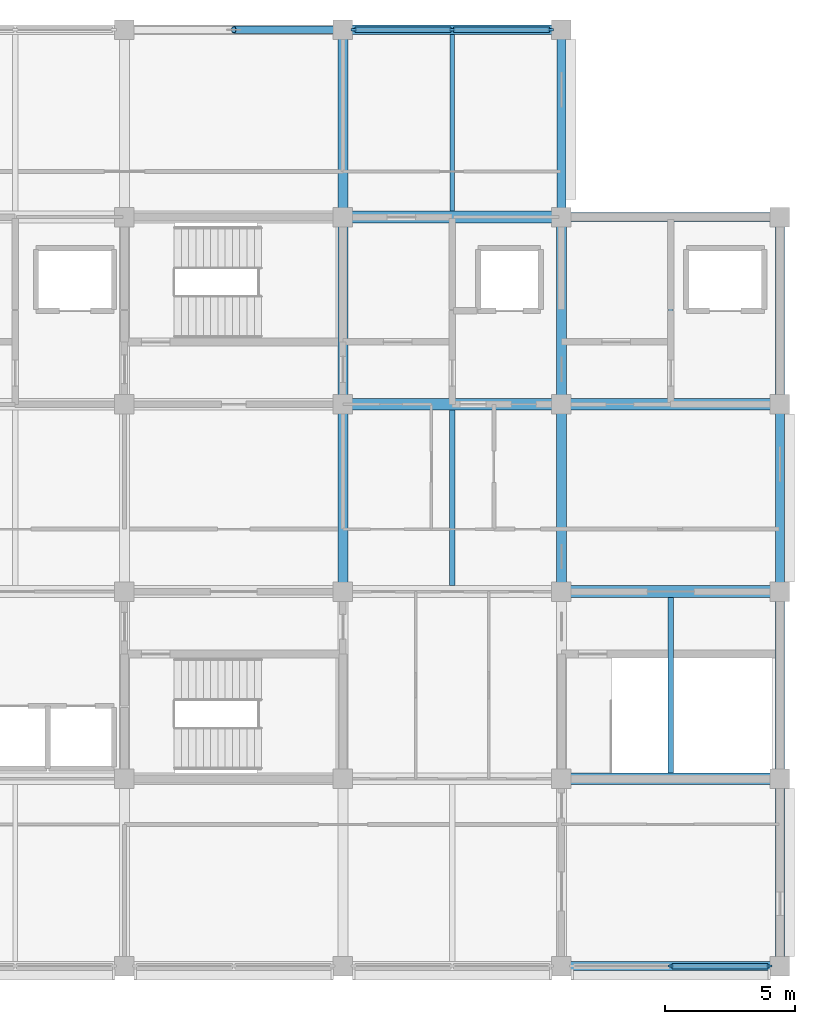
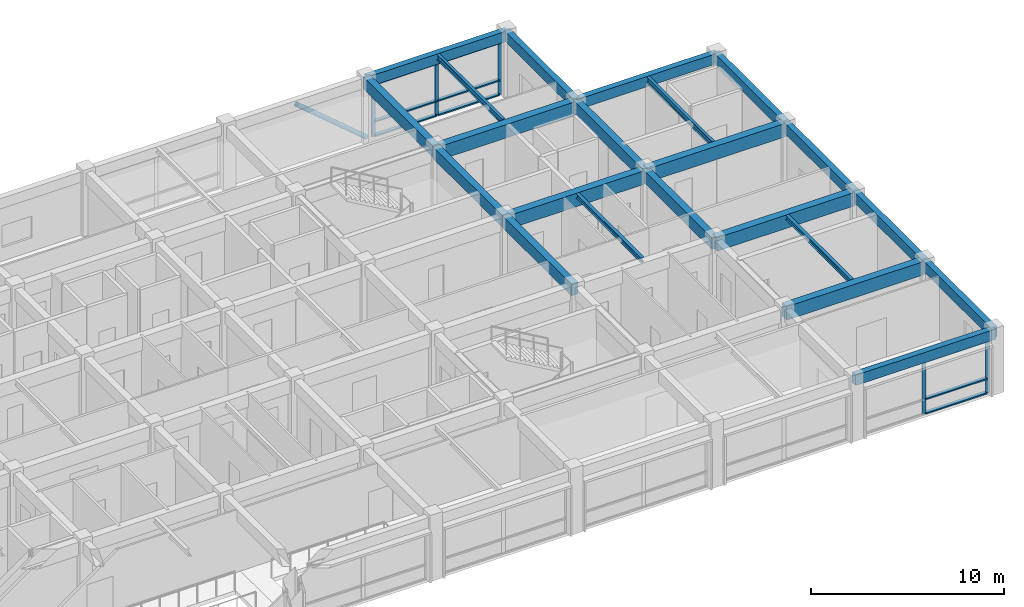
# One storey, part 7 of 23: 22 beams, 15 members, 2 elements without a shape of their own.
"""IFC4 building model written with IfcOpenShell, lengths in metres."""

from ifc_helpers import new_model, si_unit, direction, frame, origin, origin_2d, place, context, subcontext, project, spatial, rectangle, hollow_circle, i_section, extrude, material, layer, layer_set, material_profile, profile_set, type_object, element, aggregate, save


model = new_model("IFC4")

# Units and contexts
model_context = context("Model", 3, precision=1e-05, world=origin(), true_north=direction((0.0, 1.0)))
body_context = subcontext(model_context, "Body", "Model", "MODEL_VIEW")
ifc_project = project(units=[si_unit("LENGTHUNIT", "METRE"), si_unit("AREAUNIT", "SQUARE_METRE"), si_unit("VOLUMEUNIT", "CUBIC_METRE"), si_unit("PLANEANGLEUNIT", "RADIAN"), si_unit("MASSUNIT", "GRAM", prefix="KILO")], contexts=[model_context])

# Site, building, storey
site_placement = place(None, origin())
site = spatial("IfcSite", under=ifc_project, at=site_placement, CompositionType="ELEMENT")
building_placement = place(site_placement, origin())
building = spatial("IfcBuilding", under=site, at=building_placement, Name="Chengyuan Square Courthouse", CompositionType="ELEMENT")
storey_placement = place(building_placement, frame((0.0, 0.0, 43.5)))
storey = spatial("IfcBuildingStorey", under=building, at=storey_placement, Name="L10", CompositionType="ELEMENT", Elevation=43.5)

# Beams
ifc_material_1 = material(Name="Concrete C40", Category="concrete")
ifc_material_profile_1 = material_profile(ifc_material_1, rectangle(XDim=0.449951171875, YDim=0.85009765625, at=origin_2d()), Name="RC-BM-450x850")
ifc_profile_set_1 = profile_set([ifc_material_profile_1], Name="Concrete C40")
beam_type_1 = type_object("IfcBeamType", Name="BM-01", PredefinedType="USERDEFINED", material=ifc_profile_set_1)
for number, where, z_axis, x_axis, name in (
    (1, (117.60009765625, 86.39990234375, 3.574951171875), (1.0, 0.0, 0.0), (0.0, 1.0, 0.0), "Girder BM-L10-4045"),
    (2, (117.60009765625, 93.60009765625, 3.574951171875), (1.0, 0.0, 0.0), (0.0, 1.0, 0.0), "Girder BM-L10-4055"),
):
    element("IfcBeam", number, at=place(storey_placement, frame(where, z_axis=z_axis, x_axis=x_axis)), inside=storey, type_object=beam_type_1, Name=name, ObjectType="GIRDER", PredefinedType="USERDEFINED", context=body_context, shape_type="SweptSolid", body=[
        extrude(rectangle(XDim=0.449951171875, YDim=0.85009765625, at=origin_2d()), origin(), (0.0, 0.0, 1.0), 8.39990234375),
    ])
beam_1_placement = place(storey_placement, frame((109.199951171875, 100.800048828125, 3.52490234375), z_axis=(1.0, 0.0, 0.0), x_axis=(0.0, 1.0, 0.0)))
element("IfcBeam", 3, at=beam_1_placement, inside=storey, type_object=beam_type_1, Name="Girder BM-L10-4064", ObjectType="GIRDER", PredefinedType="USERDEFINED", context=body_context, shape_type="SweptSolid", body=[
    extrude(rectangle(XDim=0.449951171875, YDim=0.85009765625, at=origin_2d()), origin(), (0.0, 0.0, 1.0), 8.400146484375),
])
beam_2_placement = place(storey_placement, frame((117.60009765625, 100.800048828125, 3.574951171875), z_axis=(1.0, 0.0, 0.0), x_axis=(0.0, 1.0, 0.0)))
element("IfcBeam", 4, at=beam_2_placement, inside=storey, type_object=beam_type_1, Name="Girder BM-L10-4065", ObjectType="GIRDER", PredefinedType="USERDEFINED", context=body_context, shape_type="SweptSolid", body=[
    extrude(rectangle(XDim=0.449951171875, YDim=0.85009765625, at=origin_2d()), origin(), (0.0, 0.0, 1.0), 8.39990234375),
])
beam_3_placement = place(storey_placement, frame((109.199951171875, 108.0, 3.52490234375), z_axis=(1.0, 0.0, 0.0), x_axis=(0.0, 1.0, 0.0)))
element("IfcBeam", 5, at=beam_3_placement, inside=storey, type_object=beam_type_1, Name="Girder BM-L10-4074", ObjectType="GIRDER", PredefinedType="USERDEFINED", context=body_context, shape_type="SweptSolid", body=[
    extrude(rectangle(XDim=0.449951171875, YDim=0.85009765625, at=origin_2d()), origin(), (0.0, 0.0, 1.0), 8.400146484375),
])
ifc_material_profile_2 = material_profile(ifc_material_1, rectangle(XDim=0.39990234375, YDim=0.75, at=origin_2d()), Name="RC-BM-400x750")
ifc_profile_set_2 = profile_set([ifc_material_profile_2], Name="Concrete C40")
beam_type_2 = type_object("IfcBeamType", Name="BM-02", PredefinedType="USERDEFINED", material=ifc_profile_set_2)
for number, where, z_axis, x_axis, name in (
    (6, (109.199951171875, 93.60009765625, 3.574951171875), (0.0, 1.0, 0.0), (-1.0, 0.0, 0.0), "Girder BM-L10-4125"),
    (7, (109.199951171875, 100.800048828125, 3.574951171875), (0.0, 1.0, 0.0), (-1.0, 0.0, 0.0), "Girder BM-L10-4126"),
    (8, (109.199951171875, 108.0, 3.625), (0.0, 1.0, 0.0), (-1.0, 0.0, 0.0), "Girder BM-L10-4127"),
    (9, (117.60009765625, 93.60009765625, 3.574951171875), (0.0, 1.0, 0.0), (-1.0, 0.0, 0.0), "Girder BM-L10-4130"),
    (10, (117.60009765625, 100.800048828125, 3.574951171875), (0.0, 1.0, 0.0), (-1.0, 0.0, 0.0), "Girder BM-L10-4131"),
):
    element("IfcBeam", number, at=place(storey_placement, frame(where, z_axis=z_axis, x_axis=x_axis)), inside=storey, type_object=beam_type_2, Name=name, ObjectType="GIRDER", PredefinedType="USERDEFINED", context=body_context, shape_type="SweptSolid", body=[
        extrude(rectangle(XDim=0.39990234375, YDim=0.75, at=origin_2d()), origin(), (0.0, 0.0, 1.0), 7.199951171875),
    ])
ifc_material_profile_3 = material_profile(ifc_material_1, rectangle(XDim=0.35009765625, YDim=0.64990234375, at=origin_2d()), Name="RC-BM-350x650")
ifc_profile_set_3 = profile_set([ifc_material_profile_3], Name="Concrete C40")
beam_type_3 = type_object("IfcBeamType", Name="BM-03", PredefinedType="SPANDREL", material=ifc_profile_set_3)
for number, where, z_axis, x_axis, name in (
    (11, (117.60009765625, 79.199951171875, 3.675048828125), (1.0, 0.0, 0.0), (0.0, 1.0, 0.0), "Girder BM-L10-4035"),
    (12, (117.60009765625, 108.0, 3.675048828125), (1.0, 0.0, 0.0), (0.0, 1.0, 0.0), "Girder BM-L10-4075"),
):
    element("IfcBeam", number, at=place(storey_placement, frame(where, z_axis=z_axis, x_axis=x_axis)), inside=storey, type_object=beam_type_3, Name=name, PredefinedType="SPANDREL", context=body_context, shape_type="SweptSolid", body=[
        extrude(rectangle(XDim=0.35009765625, YDim=0.64990234375, at=origin_2d()), origin(), (0.0, 0.0, 1.0), 8.39990234375),
    ])
beam_4_placement = place(storey_placement, frame((109.199951171875, 115.199951171875, 3.675048828125), z_axis=(1.0, 0.0, 0.0), x_axis=(0.0, 1.0, 0.0)))
element("IfcBeam", 13, at=beam_4_placement, inside=storey, type_object=beam_type_3, Name="Girder BM-L10-4083", PredefinedType="SPANDREL", context=body_context, shape_type="SweptSolid", body=[
    extrude(rectangle(XDim=0.35009765625, YDim=0.64990234375, at=origin_2d()), origin(), (0.0, 0.0, 1.0), 8.400146484375),
])
for number, where, z_axis, x_axis, name in (
    (14, (117.60009765625, 108.0, 3.675048828125), (0.0, 1.0, 0.0), (-1.0, 0.0, 0.0), "Girder BM-L10-4132"),
    (15, (126.0, 79.199951171875, 3.675048828125), (0.0, 1.0, 0.0), (-1.0, 0.0, 0.0), "Girder BM-L10-4133"),
):
    element("IfcBeam", number, at=place(storey_placement, frame(where, z_axis=z_axis, x_axis=x_axis)), inside=storey, type_object=beam_type_3, Name=name, PredefinedType="SPANDREL", context=body_context, shape_type="SweptSolid", body=[
        extrude(rectangle(XDim=0.35009765625, YDim=0.64990234375, at=origin_2d()), origin(), (0.0, 0.0, 1.0), 7.199951171875),
    ])
beam_5_placement = place(storey_placement, frame((126.0, 86.39990234375, 3.675048828125), z_axis=(0.0, 1.0, 0.0), x_axis=(-1.0, 0.0, 0.0)))
element("IfcBeam", 16, at=beam_5_placement, inside=storey, type_object=beam_type_3, Name="Girder BM-L10-4134", PredefinedType="SPANDREL", context=body_context, shape_type="SweptSolid", body=[
    extrude(rectangle(XDim=0.35009765625, YDim=0.64990234375, at=origin_2d()), origin(), (0.0, 0.0, 1.0), 7.2001953125),
])
for number, where, z_axis, x_axis, name in (
    (17, (126.0, 93.60009765625, 3.675048828125), (0.0, 1.0, 0.0), (-1.0, 0.0, 0.0), "Girder BM-L10-4135"),
    (18, (126.0, 100.800048828125, 3.675048828125), (0.0, 1.0, 0.0), (-1.0, 0.0, 0.0), "Girder BM-L10-4136"),
):
    element("IfcBeam", number, at=place(storey_placement, frame(where, z_axis=z_axis, x_axis=x_axis)), inside=storey, type_object=beam_type_3, Name=name, PredefinedType="SPANDREL", context=body_context, shape_type="SweptSolid", body=[
        extrude(rectangle(XDim=0.35009765625, YDim=0.64990234375, at=origin_2d()), origin(), (0.0, 0.0, 1.0), 7.199951171875),
    ])
ifc_material_2 = material(Name="Steel Q355B", Category="steel")
ifc_material_profile_4 = material_profile(ifc_material_2, i_section(OverallWidth=0.175048828125, OverallDepth=0.35009765625, WebThickness=0.007080078125, FlangeThickness=0.010986328125, at=origin_2d()), Name="HN 350x175x7x11")
ifc_profile_set_4 = profile_set([ifc_material_profile_4], Name="Steel Q355B")
beam_type_4 = type_object("IfcBeamType", Name="BM-08", PredefinedType="BEAM", material=ifc_profile_set_4)
beam_6_placement = place(storey_placement, frame((113.39990234375, 108.22509765625, 3.824951171875), z_axis=(0.0, 1.0, 0.0), x_axis=(-1.0, 0.0, 0.0)))
element("IfcBeam", 19, at=beam_6_placement, inside=storey, type_object=beam_type_4, Name="Secondary Floor Beam SBM-L10-4155", PredefinedType="BEAM", context=body_context, shape_type="SweptSolid", body=[
    extrude(i_section(OverallWidth=0.175048828125, OverallDepth=0.35009765625, WebThickness=0.007080078125, FlangeThickness=0.010986328125, at=origin_2d()), origin(), (0.0, 0.0, 1.0), 6.7998046875),
])
beam_7_placement = place(storey_placement, frame((121.800048828125, 101.02490234375, 3.824951171875), z_axis=(0.0, 1.0, 0.0), x_axis=(-1.0, 0.0, 0.0)))
element("IfcBeam", 20, at=beam_7_placement, inside=storey, type_object=beam_type_4, Name="Secondary Floor Beam SBM-L10-4157", PredefinedType="BEAM", context=body_context, shape_type="SweptSolid", body=[
    extrude(i_section(OverallWidth=0.175048828125, OverallDepth=0.35009765625, WebThickness=0.007080078125, FlangeThickness=0.010986328125, at=origin_2d()), origin(), (0.0, 0.0, 1.0), 6.800048828125),
])
ifc_material_profile_5 = material_profile(ifc_material_2, i_section(OverallWidth=0.199951171875, OverallDepth=0.300048828125, WebThickness=0.008056640625, FlangeThickness=0.011962890625, at=origin_2d()), Name="HM 300x200x8x12")
ifc_profile_set_5 = profile_set([ifc_material_profile_5], Name="Steel Q355B")
beam_type_5 = type_object("IfcBeamType", Name="BM-09", PredefinedType="BEAM", material=ifc_profile_set_5)
for number, where, z_axis, x_axis, name in (
    (21, (113.39990234375, 93.824951171875, 3.800048828125), (0.0, 1.0, 0.0), (-1.0, 0.0, 0.0), "Secondary Floor Beam SBM-L10-4154"),
    (22, (121.800048828125, 86.625, 3.85009765625), (0.0, 1.0, 0.0), (-1.0, 0.0, 0.0), "Secondary Floor Beam SBM-L10-4156"),
):
    element("IfcBeam", number, at=place(storey_placement, frame(where, z_axis=z_axis, x_axis=x_axis)), inside=storey, type_object=beam_type_5, Name=name, PredefinedType="BEAM", context=body_context, shape_type="SweptSolid", body=[
        extrude(i_section(OverallWidth=0.199951171875, OverallDepth=0.300048828125, WebThickness=0.008056640625, FlangeThickness=0.011962890625, at=origin_2d()), origin(), (0.0, 0.0, 1.0), 6.75),
    ])

# Member
ifc_material_profile_6 = material_profile(ifc_material_2, hollow_circle(Radius=0.136474609375, WallThickness=0.010009765625, at=origin_2d()), Name="CHS 273x10")
ifc_profile_set_6 = profile_set([ifc_material_profile_6], Name="Steel Q355B")
member_type_1 = type_object("IfcMemberType", Name="BR-01", PredefinedType="BRACE", material=ifc_profile_set_6)
member_1_placement = place(storey_placement, frame((109.199951171875, 115.199951171875, 0.10009765625), z_axis=(-0.763744856955, 0.0, 0.645518236361), x_axis=(0.0, -1.0, 0.0)))
element("IfcMember", 23, at=member_1_placement, inside=storey, type_object=member_type_1, Name="Steel Chevron Brace BR-L10-040", PredefinedType="BRACE", context=body_context, shape_type="SweptSolid", body=[
    extrude(hollow_circle(Radius=0.136474609375, WallThickness=0.010009765625, at=origin_2d()), origin(), (0.0, 0.0, 1.0), 5.499267578125),
])

# Curtain wall, members
ifc_material_3 = material(Name="Unitised Aluminium and Triple Low-E Glass", Category="aluminium")
ifc_layer = layer(ifc_material_3, 0.219970703125)
ifc_layer_set = layer_set([ifc_layer], Name="Unitised Aluminium and Triple Low-E Glass")
curtain_wall_type = type_object("IfcCurtainWallType", Name="CW-04", PredefinedType="USERDEFINED", material=ifc_layer_set)
curtain_wall_1_placement = place(storey_placement, origin())
curtain_wall_1 = element("IfcCurtainWall", 24, at=curtain_wall_1_placement, inside=storey, type_object=curtain_wall_type, Name="Unitised Curtain Wall CW-L10-258", ObjectType="UNITISED CURTAIN WALL", PredefinedType="USERDEFINED")
ifc_material_4 = material(Name="Aluminium 6063-T6 Frame", Category="aluminium")
ifc_material_profile_7 = material_profile(ifc_material_4, rectangle(XDim=0.080078125, YDim=0.219970703125, at=origin_2d()), Name="CW-MUL-80x220")
ifc_profile_set_7 = profile_set([ifc_material_profile_7], Name="Aluminium 6063-T6 Frame")
member_type_2 = type_object("IfcMemberType", Name="CWM-04", PredefinedType="MULLION", material=ifc_profile_set_7)
member_2_placement = place(storey_placement, frame((109.614990234375, 115.199951171875, 0.0), z_axis=(0.0, 0.0, 1.0), x_axis=(0.0, 1.0, 0.0)))
member_2 = element("IfcMember", 25, at=member_2_placement, type_object=member_type_2, Name="CW-04 mullion 1", PredefinedType="MULLION", context=body_context, shape_type="SweptSolid", body=[
    extrude(rectangle(XDim=0.080078125, YDim=0.219970703125, at=origin_2d()), origin(), (0.0, 0.0, 1.0), 3.35009765625),
])
member_3_placement = place(storey_placement, frame((113.39990234375, 115.199951171875, 0.0), z_axis=(0.0, 0.0, 1.0), x_axis=(0.0, 1.0, 0.0)))
member_3 = element("IfcMember", 26, at=member_3_placement, type_object=member_type_2, Name="CW-04 mullion 2", PredefinedType="MULLION", context=body_context, shape_type="SweptSolid", body=[
    extrude(rectangle(XDim=0.080078125, YDim=0.219970703125, at=origin_2d()), origin(), (0.0, 0.0, 1.0), 3.35009765625),
])
member_4_placement = place(storey_placement, frame((117.18505859375, 115.199951171875, 0.0), z_axis=(0.0, 0.0, 1.0), x_axis=(0.0, 1.0, 0.0)))
member_4 = element("IfcMember", 27, at=member_4_placement, type_object=member_type_2, Name="CW-04 mullion 3", PredefinedType="MULLION", context=body_context, shape_type="SweptSolid", body=[
    extrude(rectangle(XDim=0.080078125, YDim=0.219970703125, at=origin_2d()), origin(), (0.0, 0.0, 1.0), 3.35009765625),
])

curtain_wall_2_placement = place(storey_placement, origin())
curtain_wall_2 = element("IfcCurtainWall", 28, at=curtain_wall_2_placement, inside=storey, type_object=curtain_wall_type, Name="Unitised Curtain Wall CW-L10-259", ObjectType="UNITISED CURTAIN WALL", PredefinedType="USERDEFINED")
member_5_placement = place(storey_placement, frame((121.800048828125, 79.199951171875, 0.0), z_axis=(0.0, 0.0, 1.0), x_axis=(0.0, 1.0, 0.0)))
member_5 = element("IfcMember", 29, at=member_5_placement, type_object=member_type_2, Name="CW-04 mullion 2", PredefinedType="MULLION", context=body_context, shape_type="SweptSolid", body=[
    extrude(rectangle(XDim=0.080078125, YDim=0.219970703125, at=origin_2d()), origin(), (0.0, 0.0, 1.0), 3.35009765625),
])
member_6_placement = place(storey_placement, frame((125.5849609375, 79.199951171875, 0.0), z_axis=(0.0, 0.0, 1.0), x_axis=(0.0, 1.0, 0.0)))
member_6 = element("IfcMember", 30, at=member_6_placement, type_object=member_type_2, Name="CW-04 mullion 3", PredefinedType="MULLION", context=body_context, shape_type="SweptSolid", body=[
    extrude(rectangle(XDim=0.080078125, YDim=0.219970703125, at=origin_2d()), origin(), (0.0, 0.0, 1.0), 3.35009765625),
])

# Member
ifc_material_profile_8 = material_profile(ifc_material_4, rectangle(XDim=0.219970703125, YDim=0.080078125, at=origin_2d()), Name="CW-TRN-80x180")
ifc_profile_set_8 = profile_set([ifc_material_profile_8], Name="Aluminium 6063-T6 Frame")
member_type_3 = type_object("IfcMemberType", Name="CWT-04", PredefinedType="USERDEFINED", material=ifc_profile_set_8)
member_7_placement = place(storey_placement, frame((109.655029296875, 115.199951171875, 0.0400390625), z_axis=(1.0, 0.0, 0.0), x_axis=(0.0, 1.0, 0.0)))
member_7 = element("IfcMember", 31, at=member_7_placement, type_object=member_type_3, Name="CW-04 transom 1.1", ObjectType="TRANSOM", PredefinedType="USERDEFINED", context=body_context, shape_type="SweptSolid", body=[
    extrude(rectangle(XDim=0.219970703125, YDim=0.080078125, at=origin_2d()), origin(), (0.0, 0.0, 1.0), 3.705078125),
])

member_8_placement = place(storey_placement, frame((109.655029296875, 115.199951171875, 0.949951171875), z_axis=(1.0, 0.0, 0.0), x_axis=(0.0, 1.0, 0.0)))
member_8 = element("IfcMember", 32, at=member_8_placement, type_object=member_type_3, Name="CW-04 transom 1.2", ObjectType="TRANSOM", PredefinedType="USERDEFINED", context=body_context, shape_type="SweptSolid", body=[
    extrude(rectangle(XDim=0.219970703125, YDim=0.080078125, at=origin_2d()), origin(), (0.0, 0.0, 1.0), 3.705078125),
])

member_9_placement = place(storey_placement, frame((109.655029296875, 115.199951171875, 3.31005859375), z_axis=(1.0, 0.0, 0.0), x_axis=(0.0, 1.0, 0.0)))
member_9 = element("IfcMember", 33, at=member_9_placement, type_object=member_type_3, Name="CW-04 transom 1.3", ObjectType="TRANSOM", PredefinedType="USERDEFINED", context=body_context, shape_type="SweptSolid", body=[
    extrude(rectangle(XDim=0.219970703125, YDim=0.080078125, at=origin_2d()), origin(), (0.0, 0.0, 1.0), 3.705078125),
])

member_10_placement = place(storey_placement, frame((113.43994140625, 115.199951171875, 0.0400390625), z_axis=(1.0, 0.0, 0.0), x_axis=(0.0, 1.0, 0.0)))
member_10 = element("IfcMember", 34, at=member_10_placement, type_object=member_type_3, Name="CW-04 transom 2.1", ObjectType="TRANSOM", PredefinedType="USERDEFINED", context=body_context, shape_type="SweptSolid", body=[
    extrude(rectangle(XDim=0.219970703125, YDim=0.080078125, at=origin_2d()), origin(), (0.0, 0.0, 1.0), 3.705078125),
])

member_11_placement = place(storey_placement, frame((113.43994140625, 115.199951171875, 0.949951171875), z_axis=(1.0, 0.0, 0.0), x_axis=(0.0, 1.0, 0.0)))
member_11 = element("IfcMember", 35, at=member_11_placement, type_object=member_type_3, Name="CW-04 transom 2.2", ObjectType="TRANSOM", PredefinedType="USERDEFINED", context=body_context, shape_type="SweptSolid", body=[
    extrude(rectangle(XDim=0.219970703125, YDim=0.080078125, at=origin_2d()), origin(), (0.0, 0.0, 1.0), 3.705078125),
])

member_12_placement = place(storey_placement, frame((113.43994140625, 115.199951171875, 3.31005859375), z_axis=(1.0, 0.0, 0.0), x_axis=(0.0, 1.0, 0.0)))
member_12 = element("IfcMember", 36, at=member_12_placement, type_object=member_type_3, Name="CW-04 transom 2.3", ObjectType="TRANSOM", PredefinedType="USERDEFINED", context=body_context, shape_type="SweptSolid", body=[
    extrude(rectangle(XDim=0.219970703125, YDim=0.080078125, at=origin_2d()), origin(), (0.0, 0.0, 1.0), 3.705078125),
])

aggregate(curtain_wall_1, [member_2, member_3, member_4, member_7, member_8, member_9, member_10, member_11, member_12])

member_13_placement = place(storey_placement, frame((121.840087890625, 79.199951171875, 0.0400390625), z_axis=(1.0, 0.0, 0.0), x_axis=(0.0, 1.0, 0.0)))
member_13 = element("IfcMember", 37, at=member_13_placement, type_object=member_type_3, Name="CW-04 transom 2.1", ObjectType="TRANSOM", PredefinedType="USERDEFINED", context=body_context, shape_type="SweptSolid", body=[
    extrude(rectangle(XDim=0.219970703125, YDim=0.080078125, at=origin_2d()), origin(), (0.0, 0.0, 1.0), 3.704833984375),
])

member_14_placement = place(storey_placement, frame((121.840087890625, 79.199951171875, 0.949951171875), z_axis=(1.0, 0.0, 0.0), x_axis=(0.0, 1.0, 0.0)))
member_14 = element("IfcMember", 38, at=member_14_placement, type_object=member_type_3, Name="CW-04 transom 2.2", ObjectType="TRANSOM", PredefinedType="USERDEFINED", context=body_context, shape_type="SweptSolid", body=[
    extrude(rectangle(XDim=0.219970703125, YDim=0.080078125, at=origin_2d()), origin(), (0.0, 0.0, 1.0), 3.704833984375),
])

member_15_placement = place(storey_placement, frame((121.840087890625, 79.199951171875, 3.31005859375), z_axis=(1.0, 0.0, 0.0), x_axis=(0.0, 1.0, 0.0)))
member_15 = element("IfcMember", 39, at=member_15_placement, type_object=member_type_3, Name="CW-04 transom 2.3", ObjectType="TRANSOM", PredefinedType="USERDEFINED", context=body_context, shape_type="SweptSolid", body=[
    extrude(rectangle(XDim=0.219970703125, YDim=0.080078125, at=origin_2d()), origin(), (0.0, 0.0, 1.0), 3.704833984375),
])

aggregate(curtain_wall_2, [member_5, member_6, member_13, member_14, member_15])

save(model, "model.ifc")
